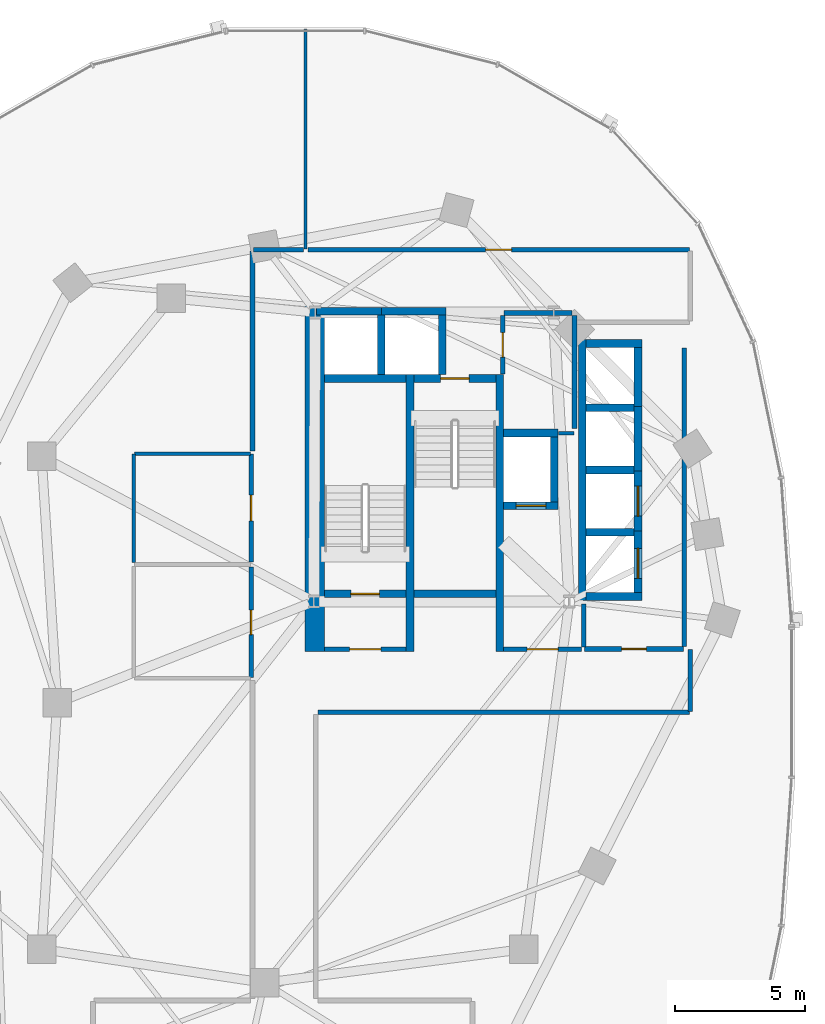
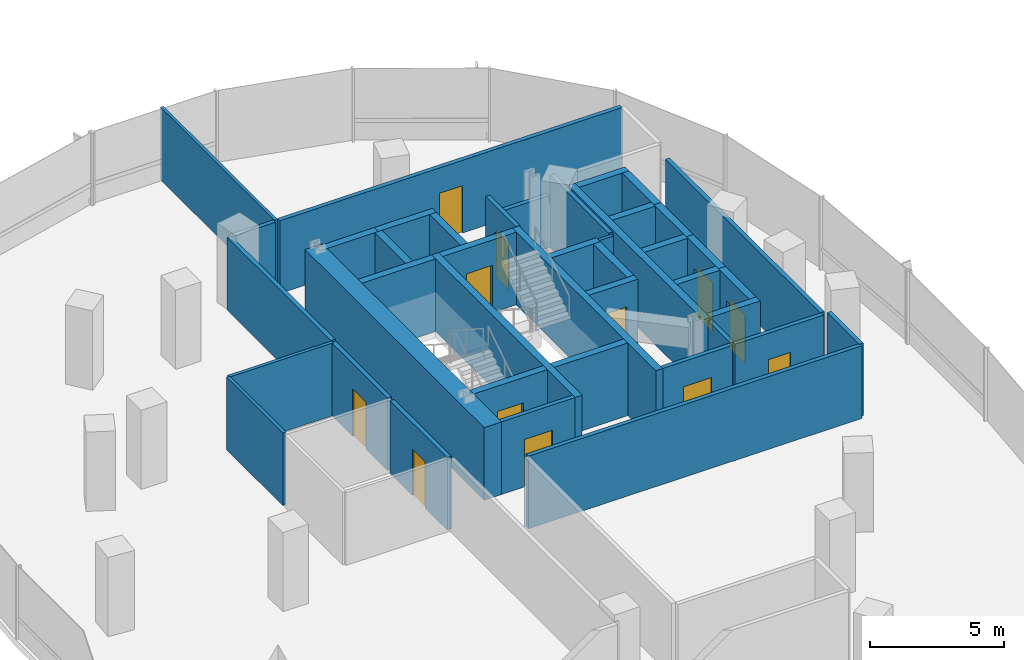
# One storey, part 11 of 20: 43 walls, 12 doors, 12 openings.
"""IFC4 building model written with IfcOpenShell, lengths in metres."""

from ifc_helpers import new_model, si_unit, direction, frame, frame_2d, origin, place, context, subcontext, project, spatial, rectangle, extrude, material, layer, layer_set, type_object, element, fill, save


model = new_model("IFC4")

# Units and contexts
model_context = context("Model", 3, precision=1e-05, world=origin(), true_north=direction((0.0, 1.0)))
body_context = subcontext(model_context, "Body", "Model", "MODEL_VIEW")
ifc_project = project(units=[si_unit("LENGTHUNIT", "METRE"), si_unit("AREAUNIT", "SQUARE_METRE"), si_unit("VOLUMEUNIT", "CUBIC_METRE"), si_unit("PLANEANGLEUNIT", "RADIAN"), si_unit("MASSUNIT", "GRAM", prefix="KILO"), si_unit("THERMODYNAMICTEMPERATUREUNIT", "KELVIN"), si_unit("POWERUNIT", "WATT")], contexts=[model_context])

# Site, building, storey
site_placement = place(None, origin())
site = spatial("IfcSite", under=ifc_project, at=site_placement, CompositionType="ELEMENT")
building_placement = place(site_placement, origin())
building = spatial("IfcBuilding", under=site, at=building_placement, Name="Cundina Bronze Exchange", CompositionType="ELEMENT")
storey_placement = place(building_placement, frame((0.0, 0.0, 125.0)))
storey = spatial("IfcBuildingStorey", under=building, at=storey_placement, Name="L32", CompositionType="ELEMENT", Elevation=125.0)

# Wall
ifc_material_1 = material(Name="Gypsum Fireboard Partition EI120")
ifc_layer_1 = layer(ifc_material_1, 0.179931640625, Name="Gypsum Fireboard Partition EI120")
ifc_layer_set_1 = layer_set([ifc_layer_1], Name="Gypsum Fireboard Partition EI120")
wall_type_1 = type_object("IfcWallType", Name="WL-COR-180", PredefinedType="PARTITIONING", material=ifc_layer_set_1)
wall_1_placement = place(storey_placement, frame((-20.889892578125, 2.14990234375, 0.0), z_axis=(0.0, 0.0, 1.0), x_axis=(0.0, 1.0, 0.0)))
element("IfcWall", 1, at=wall_1_placement, inside=storey, type_object=wall_type_1, Name="L32 W Firefighting Lobby Side Wall", PredefinedType="PARTITIONING", context=body_context, shape_type="SweptSolid", body=[
    extrude(rectangle(XDim=1.650146484375, YDim=0.179931640625, at=frame_2d((0.8251953125, 0.0))), origin(), (0.0, 0.0, 1.0), 3.300048828125),
])

# Wall, opening, door
wall_2_placement = place(storey_placement, frame((-23.97998046875, 2.06005859375, 0.0), z_axis=(0.0, 0.0, 1.0), x_axis=(1.0, 0.0, 0.0)))
wall_2 = element("IfcWall", 2, at=wall_2_placement, inside=storey, type_object=wall_type_1, Name="L32 W Firefighting Lobby Exit Wall", PredefinedType="PARTITIONING", context=body_context, shape_type="SweptSolid", body=[
    extrude(rectangle(XDim=3.0, YDim=0.179931640625, at=frame_2d((1.5, 0.0))), origin(), (0.0, 0.0, 1.0), 3.300048828125),
])
opening_1_placement = place(wall_2_placement, frame((0.89990234375, 0.0, 0.0)))
opening_1 = element("IfcOpeningElement", 3, at=opening_1_placement, cuts=wall_2, Name="Opening DF-01", PredefinedType="OPENING", context=body_context, shape_type="SweptSolid", body=[
    extrude(rectangle(XDim=1.199951171875, YDim=2.14990234375, at=frame_2d((0.60009765625, 1.074951171875))), frame((0.0, 0.099853515625, 0.0), z_axis=(0.0, -1.0, 0.0), x_axis=(1.0, 0.0, 0.0)), (0.0, 0.0, 1.0), 0.199951171875),
])
ifc_material_2 = material(Name="Steel ASTM A36 Painted", Category="steel")
door_type_1 = type_object("IfcDoorType", Name="DR-FFL-1200", OperationType="NOTDEFINED", PredefinedType="DOOR", material=ifc_material_2)
door_1_placement = place(opening_1_placement, origin())
door_1 = element("IfcDoor", 4, at=door_1_placement, inside=storey, type_object=door_type_1, Name="L32 W Firefighting Lobby Door", OperationType="SINGLE_SWING_RIGHT", OverallHeight=2.14990234375, OverallWidth=1.199951171875, PredefinedType="DOOR", context=body_context, shape_type="SweptSolid", body=[
    extrude(rectangle(XDim=1.199951171875, YDim=2.14990234375, at=frame_2d((0.60009765625, 1.074951171875))), frame((0.0, 0.02490234375, 0.0), z_axis=(0.0, -1.0, 0.0), x_axis=(1.0, 0.0, 0.0)), (0.0, 0.0, 1.0), 0.050048828125),
])
fill(opening_1, door_1)

wall_3_placement = place(storey_placement, frame((-30.89990234375, 2.06005859375, 0.0), z_axis=(0.0, 0.0, 1.0), x_axis=(1.0, 0.0, 0.0)))
wall_3 = element("IfcWall", 5, at=wall_3_placement, inside=storey, type_object=wall_type_1, Name="L32 W Stair Vestibule Exit Wall", PredefinedType="PARTITIONING", context=body_context, shape_type="SweptSolid", body=[
    extrude(rectangle(XDim=3.159912109375, YDim=0.179931640625, at=frame_2d((1.580078125, 0.0))), origin(), (0.0, 0.0, 1.0), 3.300048828125),
])
opening_2_placement = place(wall_3_placement, frame((0.97998046875, 0.0, 0.0)))
opening_2 = element("IfcOpeningElement", 6, at=opening_2_placement, cuts=wall_3, Name="Opening DF-01", PredefinedType="OPENING", context=body_context, shape_type="SweptSolid", body=[
    extrude(rectangle(XDim=1.199951171875, YDim=2.14990234375, at=frame_2d((0.60009765625, 1.074951171875))), frame((0.0, 0.099853515625, 0.0), z_axis=(0.0, -1.0, 0.0), x_axis=(1.0, 0.0, 0.0)), (0.0, 0.0, 1.0), 0.199951171875),
])
door_2_placement = place(opening_2_placement, origin())
door_2 = element("IfcDoor", 7, at=door_2_placement, inside=storey, type_object=door_type_1, Name="L32 W Stair Vestibule Door", OperationType="SINGLE_SWING_LEFT", OverallHeight=2.14990234375, OverallWidth=1.199951171875, PredefinedType="DOOR", context=body_context, shape_type="SweptSolid", body=[
    extrude(rectangle(XDim=1.199951171875, YDim=2.14990234375, at=frame_2d((0.60009765625, 1.074951171875))), frame((0.0, 0.02490234375, 0.0), z_axis=(0.0, -1.0, 0.0), x_axis=(1.0, 0.0, 0.0)), (0.0, 0.0, 1.0), 0.050048828125),
])
fill(opening_2, door_2)

# Wall
wall_4_placement = place(storey_placement, frame((-17.02001953125, 2.169921875, 0.0), z_axis=(0.0, 0.0, 1.0), x_axis=(0.0, 1.0, 0.0)))
element("IfcWall", 8, at=wall_4_placement, inside=storey, type_object=wall_type_1, Name="L32 Interior Partition 001", PredefinedType="PARTITIONING", context=body_context, shape_type="SweptSolid", body=[
    extrude(rectangle(XDim=11.510009765625, YDim=0.179931640625, at=frame_2d((5.7548828125, 0.0))), origin(), (0.0, 0.0, 1.0), 3.300048828125),
])

# Wall, opening, door
wall_5_placement = place(storey_placement, frame((-20.8701171875, 2.070068359375, 0.0), z_axis=(0.0, 0.0, 1.0), x_axis=(1.0, 0.0, 0.0)))
wall_5 = element("IfcWall", 9, at=wall_5_placement, inside=storey, type_object=wall_type_1, Name="L32 Interior Partition 002", PredefinedType="PARTITIONING", context=body_context, shape_type="SweptSolid", body=[
    extrude(rectangle(XDim=3.830078125, YDim=0.179931640625, at=frame_2d((1.9150390625, 0.0))), origin(), (0.0, 0.0, 1.0), 3.300048828125),
])
opening_3_placement = place(wall_5_placement, frame((1.43994140625, 0.0, 0.0)))
opening_3 = element("IfcOpeningElement", 10, at=opening_3_placement, cuts=wall_5, Name="Opening DW-01", PredefinedType="OPENING", context=body_context, shape_type="SweptSolid", body=[
    extrude(rectangle(XDim=0.949951171875, YDim=2.10009765625, at=frame_2d((0.47509765625, 1.050048828125))), frame((0.0, 0.099853515625, 0.0), z_axis=(0.0, -1.0, 0.0), x_axis=(1.0, 0.0, 0.0)), (0.0, 0.0, 1.0), 0.199951171875),
])
ifc_material_3 = material(Name="Solid Andean Oak Timber Grade A", Category="wood")
door_type_2 = type_object("IfcDoorType", Name="DR-WC-950", OperationType="NOTDEFINED", PredefinedType="DOOR", material=ifc_material_3)
door_3_placement = place(opening_3_placement, origin())
door_3 = element("IfcDoor", 11, at=door_3_placement, inside=storey, type_object=door_type_2, Name="L32 Interior Door 002", OperationType="SINGLE_SWING_LEFT", OverallHeight=2.10009765625, OverallWidth=0.949951171875, PredefinedType="DOOR", context=body_context, shape_type="SweptSolid", body=[
    extrude(rectangle(XDim=0.949951171875, YDim=2.10009765625, at=frame_2d((0.47509765625, 1.050048828125))), frame((0.0, 0.02490234375, 0.0), z_axis=(0.0, -1.0, 0.0), x_axis=(1.0, 0.0, 0.0)), (0.0, 0.0, 1.0), 0.050048828125),
])
fill(opening_3, door_3)

# Walls
wall_6_placement = place(storey_placement, frame((-21.25, 10.570068359375, 0.0), z_axis=(0.0, 0.0, 1.0), x_axis=(0.0, 1.0, 0.0)))
element("IfcWall", 12, at=wall_6_placement, inside=storey, type_object=wall_type_1, Name="L32 Interior Partition 004", PredefinedType="PARTITIONING", context=body_context, shape_type="SweptSolid", body=[
    extrude(rectangle(XDim=4.35986328125, YDim=0.179931640625, at=frame_2d((2.179931640625, 0.0))), origin(), (0.0, 0.0, 1.0), 3.300048828125),
])
wall_7_placement = place(storey_placement, frame((-23.9599609375, 15.030029296875, 0.0), z_axis=(0.0, 0.0, 1.0), x_axis=(1.0, 0.0, 0.0)))
element("IfcWall", 13, at=wall_7_placement, inside=storey, type_object=wall_type_1, Name="L32 Interior Partition 005", PredefinedType="PARTITIONING", context=body_context, shape_type="SweptSolid", body=[
    extrude(rectangle(XDim=2.60986328125, YDim=0.179931640625, at=frame_2d((1.304931640625, 0.0))), origin(), (0.0, 0.0, 1.0), 2.373046875),
])

# Wall, opening, door
wall_8_placement = place(storey_placement, frame((-24.02001953125, 12.669921875, 0.0), z_axis=(0.0, 0.0, 1.0), x_axis=(0.0, 1.0, 0.0)))
wall_8 = element("IfcWall", 14, at=wall_8_placement, inside=storey, type_object=wall_type_1, Name="L32 Interior Partition 006", PredefinedType="PARTITIONING", context=body_context, shape_type="SweptSolid", body=[
    extrude(rectangle(XDim=2.260009765625, YDim=0.179931640625, at=frame_2d((1.1298828125, 0.0))), origin(), (0.0, 0.0, 1.0), 3.300048828125),
])
opening_4_placement = place(wall_8_placement, frame((0.655029296875, 0.0, 0.0)))
opening_4 = element("IfcOpeningElement", 15, at=opening_4_placement, cuts=wall_8, Name="Opening DW-01", PredefinedType="OPENING", context=body_context, shape_type="SweptSolid", body=[
    extrude(rectangle(XDim=0.949951171875, YDim=2.10009765625, at=frame_2d((0.47509765625, 1.050048828125))), frame((0.0, 0.099853515625, 0.0), z_axis=(0.0, -1.0, 0.0), x_axis=(1.0, 0.0, 0.0)), (0.0, 0.0, 1.0), 0.199951171875),
])
door_4_placement = place(opening_4_placement, origin())
door_4 = element("IfcDoor", 16, at=door_4_placement, inside=storey, type_object=door_type_2, Name="L32 Interior Door 006", OperationType="SINGLE_SWING_LEFT", OverallHeight=2.10009765625, OverallWidth=0.949951171875, PredefinedType="DOOR", context=body_context, shape_type="SweptSolid", body=[
    extrude(rectangle(XDim=0.949951171875, YDim=2.10009765625, at=frame_2d((0.47509765625, 1.050048828125))), frame((0.0, 0.02490234375, 0.0), z_axis=(0.0, -1.0, 0.0), x_axis=(1.0, 0.0, 0.0)), (0.0, 0.0, 1.0), 0.050048828125),
])
fill(opening_4, door_4)

wall_9_placement = place(storey_placement, frame((-33.719970703125, 0.969970703125, 0.0), z_axis=(0.0, 0.0, 1.0), x_axis=(0.0, 1.0, 0.0)))
wall_9 = element("IfcWall", 17, at=wall_9_placement, inside=storey, type_object=wall_type_1, Name="L32 Interior Partition 012", PredefinedType="PARTITIONING", context=body_context, shape_type="SweptSolid", body=[
    extrude(rectangle(XDim=4.260009765625, YDim=0.179931640625, at=frame_2d((2.1298828125, 0.0))), origin(), (0.0, 0.0, 1.0), 3.300048828125),
])
opening_5_placement = place(wall_9_placement, frame((1.655029296875, 0.0, 0.0)))
opening_5 = element("IfcOpeningElement", 18, at=opening_5_placement, cuts=wall_9, Name="Opening DW-01", PredefinedType="OPENING", context=body_context, shape_type="SweptSolid", body=[
    extrude(rectangle(XDim=0.949951171875, YDim=2.10009765625, at=frame_2d((0.47509765625, 1.050048828125))), frame((0.0, 0.099853515625, 0.0), z_axis=(0.0, -1.0, 0.0), x_axis=(1.0, 0.0, 0.0)), (0.0, 0.0, 1.0), 0.199951171875),
])
door_5_placement = place(opening_5_placement, origin())
door_5 = element("IfcDoor", 19, at=door_5_placement, inside=storey, type_object=door_type_2, Name="L32 Interior Door 012", OperationType="SINGLE_SWING_LEFT", OverallHeight=2.10009765625, OverallWidth=0.949951171875, PredefinedType="DOOR", context=body_context, shape_type="SweptSolid", body=[
    extrude(rectangle(XDim=0.949951171875, YDim=2.10009765625, at=frame_2d((0.47509765625, 1.050048828125))), frame((0.0, 0.02490234375, 0.0), z_axis=(0.0, -1.0, 0.0), x_axis=(1.0, 0.0, 0.0)), (0.0, 0.0, 1.0), 0.050048828125),
])
fill(opening_5, door_5)

wall_10_placement = place(storey_placement, frame((-33.719970703125, 5.429931640625, 0.0), z_axis=(0.0, 0.0, 1.0), x_axis=(0.0, 1.0, 0.0)))
wall_10 = element("IfcWall", 20, at=wall_10_placement, inside=storey, type_object=wall_type_1, Name="L32 Interior Partition 013", PredefinedType="PARTITIONING", context=body_context, shape_type="SweptSolid", body=[
    extrude(rectangle(XDim=4.16015625, YDim=0.179931640625, at=frame_2d((2.080078125, 0.0))), origin(), (0.0, 0.0, 1.0), 3.300048828125),
])
opening_6_placement = place(wall_10_placement, frame((1.580078125, 0.0, 0.0)))
opening_6 = element("IfcOpeningElement", 21, at=opening_6_placement, cuts=wall_10, Name="Opening DO-01", PredefinedType="OPENING", context=body_context, shape_type="SweptSolid", body=[
    extrude(rectangle(XDim=1.0, YDim=2.14990234375, at=frame_2d((0.5, 1.074951171875))), frame((0.0, 0.099853515625, 0.0), z_axis=(0.0, -1.0, 0.0), x_axis=(1.0, 0.0, 0.0)), (0.0, 0.0, 1.0), 0.199951171875),
])
door_type_3 = type_object("IfcDoorType", Name="DR-OFF-1000", OperationType="NOTDEFINED", PredefinedType="DOOR", material=ifc_material_3)
door_6_placement = place(opening_6_placement, origin())
door_6 = element("IfcDoor", 22, at=door_6_placement, inside=storey, type_object=door_type_3, Name="L32 Interior Door 013", OperationType="SINGLE_SWING_LEFT", OverallHeight=2.14990234375, OverallWidth=1.0, PredefinedType="DOOR", context=body_context, shape_type="SweptSolid", body=[
    extrude(rectangle(XDim=1.0, YDim=2.14990234375, at=frame_2d((0.5, 1.074951171875))), frame((0.0, 0.02490234375, 0.0), z_axis=(0.0, -1.0, 0.0), x_axis=(1.0, 0.0, 0.0)), (0.0, 0.0, 1.0), 0.050048828125),
])
fill(opening_6, door_6)

wall_11_placement = place(storey_placement, frame((-16.821533203125, 17.469970703125, 0.0), z_axis=(0.0, 0.0, 1.0), x_axis=(-1.0, 0.0, 0.0)))
wall_11 = element("IfcWall", 23, at=wall_11_placement, inside=storey, type_object=wall_type_1, Name="L32 Interior Partition 015", PredefinedType="PARTITIONING", context=body_context, shape_type="SweptSolid", body=[
    extrude(rectangle(XDim=14.70849609375, YDim=0.179931640625, at=frame_2d((7.354248046875, 0.0))), origin(), (0.0, 0.0, 1.0), 3.300048828125),
])
opening_7_placement = place(wall_11_placement, frame((6.854248046875, 0.0, 0.0)))
opening_7 = element("IfcOpeningElement", 24, at=opening_7_placement, cuts=wall_11, Name="Opening DO-01", PredefinedType="OPENING", context=body_context, shape_type="SweptSolid", body=[
    extrude(rectangle(XDim=1.0, YDim=2.14990234375, at=frame_2d((0.5, 1.074951171875))), frame((0.0, 0.099853515625, 0.0), z_axis=(0.0, -1.0, 0.0), x_axis=(1.0, 0.0, 0.0)), (0.0, 0.0, 1.0), 0.199951171875),
])
door_7_placement = place(opening_7_placement, origin())
door_7 = element("IfcDoor", 25, at=door_7_placement, inside=storey, type_object=door_type_3, Name="L32 Interior Door 015", OperationType="SINGLE_SWING_LEFT", OverallHeight=2.14990234375, OverallWidth=1.0, PredefinedType="DOOR", context=body_context, shape_type="SweptSolid", body=[
    extrude(rectangle(XDim=1.0, YDim=2.14990234375, at=frame_2d((0.5, 1.074951171875))), frame((0.0, 0.02490234375, 0.0), z_axis=(0.0, -1.0, 0.0), x_axis=(1.0, 0.0, 0.0)), (0.0, 0.0, 1.0), 0.050048828125),
])
fill(opening_7, door_7)

# Walls
wall_12_placement = place(storey_placement, frame((-31.14990234375, -0.3701171875, 0.0), z_axis=(0.0, 0.0, 1.0), x_axis=(1.0, 0.0, 0.0)))
element("IfcWall", 26, at=wall_12_placement, inside=storey, type_object=wall_type_1, Name="L32 Interior Partition 017", PredefinedType="PARTITIONING", context=body_context, shape_type="SweptSolid", body=[
    extrude(rectangle(XDim=14.328369140625, YDim=0.179931640625, at=frame_2d((7.1640625, 0.0))), origin(), (0.0, 0.0, 1.0), 3.300048828125),
])
wall_13_placement = place(storey_placement, frame((-33.669921875, 17.428466796875, 0.0), z_axis=(0.0, 0.0, 1.0), x_axis=(0.0, -1.0, 0.0)))
element("IfcWall", 27, at=wall_13_placement, inside=storey, type_object=wall_type_1, Name="L32 Interior Partition 020", PredefinedType="PARTITIONING", context=body_context, shape_type="SweptSolid", body=[
    extrude(rectangle(XDim=7.72705078125, YDim=0.179931640625, at=frame_2d((3.863525390625, 0.0))), origin(), (0.0, 0.0, 1.0), 3.300048828125),
])
wall_14_placement = place(storey_placement, frame((-16.780029296875, -0.32861328125, 0.0), z_axis=(0.0, 0.0, 1.0), x_axis=(0.0, 1.0, 0.0)))
element("IfcWall", 28, at=wall_14_placement, inside=storey, type_object=wall_type_1, Name="L32 Interior Partition 025", PredefinedType="PARTITIONING", context=body_context, shape_type="SweptSolid", body=[
    extrude(rectangle(XDim=2.38720703125, YDim=0.179931640625, at=frame_2d((1.193603515625, 0.0))), origin(), (0.0, 0.0, 1.0), 3.300048828125),
])
wall_15_placement = place(storey_placement, frame((-31.7099609375, 17.469970703125, 0.0), z_axis=(0.0, 0.0, 1.0), x_axis=(-1.0, 0.0, 0.0)))
element("IfcWall", 29, at=wall_15_placement, inside=storey, type_object=wall_type_1, Name="L32 Interior Partition 028", PredefinedType="PARTITIONING", context=body_context, shape_type="SweptSolid", body=[
    extrude(rectangle(XDim=1.91845703125, YDim=0.179931640625, at=frame_2d((0.959228515625, 0.0))), origin(), (0.0, 0.0, 1.0), 3.300048828125),
])
ifc_material_4 = material(Name="Concrete C60/75", Category="concrete")
ifc_layer_2 = layer(ifc_material_4, 0.75, Name="Concrete C60/75", Category="concrete")
ifc_layer_set_2 = layer_set([ifc_layer_2], Name="Concrete C60/75")
wall_type_2 = type_object("IfcWallType", Name="WL-CORE-750", PredefinedType="SHEAR", material=ifc_layer_set_2)
wall_16_placement = place(storey_placement, frame((-31.27490234375, 1.969970703125, 0.0), z_axis=(0.0, 0.0, 1.0), x_axis=(0.0, 1.0, 0.0)))
element("IfcWall", 30, at=wall_16_placement, inside=storey, type_object=wall_type_2, Name="L32 W Primary Core Shear Spine Wall", PredefinedType="SHEAR", context=body_context, shape_type="SweptSolid", body=[
    extrude(rectangle(XDim=13.330078125, YDim=0.75, at=frame_2d((6.6650390625, 0.0))), origin(), (0.0, 0.0, 1.0), 3.300048828125),
])
ifc_material_5 = material(Name="Gypsum Acoustic Partition EI60")
ifc_layer_3 = layer(ifc_material_5, 0.125, Name="Gypsum Acoustic Partition EI60")
ifc_layer_set_3 = layer_set([ifc_layer_3], Name="Gypsum Acoustic Partition EI60")
wall_type_3 = type_object("IfcWallType", Name="WL-OFF-125", PredefinedType="PARTITIONING", material=ifc_layer_set_3)
wall_17_placement = place(storey_placement, frame((-31.6201171875, 17.5, 0.0), z_axis=(0.0, 0.0, 1.0), x_axis=(0.0, 1.0, 0.0)))
element("IfcWall", 31, at=wall_17_placement, inside=storey, type_object=wall_type_3, Name="L32 Interior Partition 014", PredefinedType="PARTITIONING", context=body_context, shape_type="SweptSolid", body=[
    extrude(rectangle(XDim=8.485107421875, YDim=0.125, at=frame_2d((4.24267578125, 0.0))), origin(), (0.0, 0.0, 1.0), 3.300048828125),
])
ifc_material_6 = material(Name="Concrete C50/60", Category="concrete")
ifc_layer_4 = layer(ifc_material_6, 0.300048828125, Name="Concrete C50/60", Category="concrete")
ifc_layer_set_4 = layer_set([ifc_layer_4], Name="Concrete C50/60")
wall_type_4 = type_object("IfcWallType", Name="WL-SHFT-300", PredefinedType="SHEAR", material=ifc_layer_set_4)
for number, where, z_axis, x_axis, name in (
    (32, (-27.590087890625, 1.969970703125, 0.0), (0.0, 0.0, 1.0), (0.0, 1.0, 0.0), "L32 W Stair Shaft Dividing Shear Wall"),
    (33, (-24.1298828125, 1.969970703125, 0.0), (0.0, 0.0, 1.0), (0.0, 1.0, 0.0), "L32 W Stair 2 East Shear Wall"),
):
    element("IfcWall", number, at=place(storey_placement, frame(where, z_axis=z_axis, x_axis=x_axis)), inside=storey, type_object=wall_type_4, Name=name, PredefinedType="SHEAR", context=body_context, shape_type="SweptSolid", body=[
        extrude(rectangle(XDim=10.679931640625, YDim=0.300048828125, at=frame_2d((5.33984375, 0.0))), origin(), (0.0, 0.0, 1.0), 3.300048828125),
    ])

# Wall, opening, door
wall_18_placement = place(storey_placement, frame((-30.89990234375, 4.199951171875, 0.0), z_axis=(0.0, 0.0, 1.0), x_axis=(1.0, 0.0, 0.0)))
wall_18 = element("IfcWall", 34, at=wall_18_placement, inside=storey, type_object=wall_type_4, Name="L32 Stair W1 Landing Wall", PredefinedType="SHEAR", context=body_context, shape_type="SweptSolid", body=[
    extrude(rectangle(XDim=3.159912109375, YDim=0.300048828125, at=frame_2d((1.580078125, 0.0))), origin(), (0.0, 0.0, 1.0), 3.300048828125),
])
opening_8_placement = place(wall_18_placement, frame((1.030029296875, 0.0, 0.0)))
opening_8 = element("IfcOpeningElement", 35, at=opening_8_placement, cuts=wall_18, Name="Opening DS-01", PredefinedType="OPENING", context=body_context, shape_type="SweptSolid", body=[
    extrude(rectangle(XDim=1.10009765625, YDim=2.14990234375, at=frame_2d((0.550048828125, 1.074951171875))), frame((0.0, 0.159912109375, 0.0), z_axis=(0.0, -1.0, 0.0), x_axis=(1.0, 0.0, 0.0)), (0.0, 0.0, 1.0), 0.320068359375),
])
door_type_4 = type_object("IfcDoorType", Name="DR-STR-1100", OperationType="NOTDEFINED", PredefinedType="DOOR", material=ifc_material_2)
door_8_placement = place(opening_8_placement, origin())
door_8 = element("IfcDoor", 36, at=door_8_placement, inside=storey, type_object=door_type_4, Name="L32 Smokeproof Stair W1 Door", OperationType="SINGLE_SWING_RIGHT", OverallHeight=2.14990234375, OverallWidth=1.10009765625, PredefinedType="DOOR", context=body_context, shape_type="SweptSolid", body=[
    extrude(rectangle(XDim=1.10009765625, YDim=2.14990234375, at=frame_2d((0.550048828125, 1.074951171875))), frame((0.0, 0.02490234375, 0.0), z_axis=(0.0, -1.0, 0.0), x_axis=(1.0, 0.0, 0.0)), (0.0, 0.0, 1.0), 0.050048828125),
])
fill(opening_8, door_8)

# Wall
wall_19_placement = place(storey_placement, frame((-30.89990234375, 12.5, 0.0), z_axis=(0.0, 0.0, 1.0), x_axis=(1.0, 0.0, 0.0)))
element("IfcWall", 37, at=wall_19_placement, inside=storey, type_object=wall_type_4, Name="L32 Stair W1 Far Shaft Wall", PredefinedType="SHEAR", context=body_context, shape_type="SweptSolid", body=[
    extrude(rectangle(XDim=3.159912109375, YDim=0.300048828125, at=frame_2d((1.580078125, 0.0))), origin(), (0.0, 0.0, 1.0), 3.300048828125),
])

# Wall, opening, door
wall_20_placement = place(storey_placement, frame((-27.43994140625, 12.5, 0.0), z_axis=(0.0, 0.0, 1.0), x_axis=(1.0, 0.0, 0.0)))
wall_20 = element("IfcWall", 38, at=wall_20_placement, inside=storey, type_object=wall_type_4, Name="L32 Stair W2 Landing Wall", PredefinedType="SHEAR", context=body_context, shape_type="SweptSolid", body=[
    extrude(rectangle(XDim=3.159912109375, YDim=0.300048828125, at=frame_2d((1.580078125, 0.0))), origin(), (0.0, 0.0, 1.0), 3.300048828125),
])
opening_9_placement = place(wall_20_placement, frame((1.030029296875, 0.0, 0.0)))
opening_9 = element("IfcOpeningElement", 39, at=opening_9_placement, cuts=wall_20, Name="Opening DS-01", PredefinedType="OPENING", context=body_context, shape_type="SweptSolid", body=[
    extrude(rectangle(XDim=1.10009765625, YDim=2.14990234375, at=frame_2d((0.550048828125, 1.074951171875))), frame((0.0, 0.159912109375, 0.0), z_axis=(0.0, -1.0, 0.0), x_axis=(1.0, 0.0, 0.0)), (0.0, 0.0, 1.0), 0.320068359375),
])
door_9_placement = place(opening_9_placement, origin())
door_9 = element("IfcDoor", 40, at=door_9_placement, inside=storey, type_object=door_type_4, Name="L32 Smokeproof Stair W2 Door", OperationType="SINGLE_SWING_LEFT", OverallHeight=2.14990234375, OverallWidth=1.10009765625, PredefinedType="DOOR", context=body_context, shape_type="SweptSolid", body=[
    extrude(rectangle(XDim=1.10009765625, YDim=2.14990234375, at=frame_2d((0.550048828125, 1.074951171875))), frame((0.0, 0.02490234375, 0.0), z_axis=(0.0, -1.0, 0.0), x_axis=(1.0, 0.0, 0.0)), (0.0, 0.0, 1.0), 0.050048828125),
])
fill(opening_9, door_9)

# Wall
wall_21_placement = place(storey_placement, frame((-27.43994140625, 4.199951171875, 0.0), z_axis=(0.0, 0.0, 1.0), x_axis=(1.0, 0.0, 0.0)))
element("IfcWall", 41, at=wall_21_placement, inside=storey, type_object=wall_type_4, Name="L32 Stair W2 Far Shaft Wall", PredefinedType="SHEAR", context=body_context, shape_type="SweptSolid", body=[
    extrude(rectangle(XDim=3.159912109375, YDim=0.300048828125, at=frame_2d((1.580078125, 0.0))), origin(), (0.0, 0.0, 1.0), 3.300048828125),
])

# Wall, opening, door
wall_22_placement = place(storey_placement, frame((-23.97998046875, 7.60009765625, 0.0), z_axis=(0.0, 0.0, 1.0), x_axis=(1.0, 0.0, 0.0)))
wall_22 = element("IfcWall", 42, at=wall_22_placement, inside=storey, type_object=wall_type_4, Name="L32 FFL-W Hoistway Front Wall", PredefinedType="SHEAR", context=body_context, shape_type="SweptSolid", body=[
    extrude(rectangle(XDim=2.10009765625, YDim=0.300048828125, at=frame_2d((1.050048828125, 0.0))), origin(), (0.0, 0.0, 1.0), 3.300048828125),
])
opening_10_placement = place(wall_22_placement, frame((0.47509765625, 0.0, 0.0)))
opening_10 = element("IfcOpeningElement", 43, at=opening_10_placement, cuts=wall_22, Name="Opening LD-01", PredefinedType="OPENING", context=body_context, shape_type="SweptSolid", body=[
    extrude(rectangle(XDim=1.14990234375, YDim=2.199951171875, at=frame_2d((0.574951171875, 1.10009765625))), frame((0.0, 0.159912109375, 0.0), z_axis=(0.0, -1.0, 0.0), x_axis=(1.0, 0.0, 0.0)), (0.0, 0.0, 1.0), 0.320068359375),
])
door_type_5 = type_object("IfcDoorType", Name="DR-LND-1150", OperationType="NOTDEFINED", PredefinedType="TRAPDOOR", material=ifc_material_2)
door_10_placement = place(opening_10_placement, origin())
door_10 = element("IfcDoor", 44, at=door_10_placement, inside=storey, type_object=door_type_5, Name="L32 FFL-W Sliding Landing Door", OperationType="SLIDING_TO_LEFT", OverallHeight=2.199951171875, OverallWidth=1.14990234375, PredefinedType="TRAPDOOR", context=body_context, shape_type="SweptSolid", body=[
    extrude(rectangle(XDim=1.14990234375, YDim=2.199951171875, at=frame_2d((0.574951171875, 1.10009765625))), frame((0.0, 0.02490234375, 0.0), z_axis=(0.0, -1.0, 0.0), x_axis=(1.0, 0.0, 0.0)), (0.0, 0.0, 1.0), 0.050048828125),
])
fill(opening_10, door_10)

# Walls
wall_23_placement = place(storey_placement, frame((-23.97998046875, 10.39990234375, 0.0), z_axis=(0.0, 0.0, 1.0), x_axis=(1.0, 0.0, 0.0)))
element("IfcWall", 45, at=wall_23_placement, inside=storey, type_object=wall_type_4, Name="L32 FFL-W Hoistway Back Wall", PredefinedType="SHEAR", context=body_context, shape_type="SweptSolid", body=[
    extrude(rectangle(XDim=2.10009765625, YDim=0.300048828125, at=frame_2d((1.050048828125, 0.0))), origin(), (0.0, 0.0, 1.0), 3.300048828125),
])
for number, where, z_axis, x_axis, name in (
    (46, (-22.030029296875, 7.75, 0.0), (0.0, 0.0, 1.0), (0.0, 1.0, 0.0), "L32 FFL-W Hoistway Side Wall"),
    (47, (-31.199951171875, 15.10009765625, 0.0), (0.0, 0.0, 1.0), (1.0, 0.0, 0.0), "L32 PH-W1 Hoistway Front Wall"),
):
    element("IfcWall", number, at=place(storey_placement, frame(where, z_axis=z_axis, x_axis=x_axis)), inside=storey, type_object=wall_type_4, Name=name, PredefinedType="SHEAR", context=body_context, shape_type="SweptSolid", body=[
        extrude(rectangle(XDim=2.5, YDim=0.300048828125, at=frame_2d((1.25, 0.0))), origin(), (0.0, 0.0, 1.0), 3.300048828125),
    ])
wall_24_placement = place(storey_placement, frame((-28.699951171875, 12.64990234375, 0.0), z_axis=(0.0, 0.0, 1.0), x_axis=(0.0, 1.0, 0.0)))
element("IfcWall", 48, at=wall_24_placement, inside=storey, type_object=wall_type_4, Name="L32 PH-W1 Hoistway Divider Wall", PredefinedType="SHEAR", context=body_context, shape_type="SweptSolid", body=[
    extrude(rectangle(XDim=2.300048828125, YDim=0.300048828125, at=frame_2d((1.14990234375, 0.0))), origin(), (0.0, 0.0, 1.0), 3.300048828125),
])
wall_25_placement = place(storey_placement, frame((-28.699951171875, 15.10009765625, 0.0), z_axis=(0.0, 0.0, 1.0), x_axis=(1.0, 0.0, 0.0)))
element("IfcWall", 49, at=wall_25_placement, inside=storey, type_object=wall_type_4, Name="L32 PH-W2 Hoistway Front Wall", PredefinedType="SHEAR", context=body_context, shape_type="SweptSolid", body=[
    extrude(rectangle(XDim=2.5, YDim=0.300048828125, at=frame_2d((1.25, 0.0))), origin(), (0.0, 0.0, 1.0), 3.300048828125),
])
wall_26_placement = place(storey_placement, frame((-26.35009765625, 12.64990234375, 0.0), z_axis=(0.0, 0.0, 1.0), x_axis=(0.0, 1.0, 0.0)))
element("IfcWall", 50, at=wall_26_placement, inside=storey, type_object=wall_type_4, Name="L32 PH-W2 Hoistway Divider Wall", PredefinedType="SHEAR", context=body_context, shape_type="SweptSolid", body=[
    extrude(rectangle(XDim=2.300048828125, YDim=0.300048828125, at=frame_2d((1.14990234375, 0.0))), origin(), (0.0, 0.0, 1.0), 3.300048828125),
])
wall_27_placement = place(storey_placement, frame((-20.949951171875, 3.949951171875, 0.0), z_axis=(0.0, 0.0, 1.0), x_axis=(0.0, 1.0, 0.0)))
element("IfcWall", 51, at=wall_27_placement, inside=storey, type_object=wall_type_4, Name="L32 W Passenger Bank Hoistway Back Wall", PredefinedType="SHEAR", context=body_context, shape_type="SweptSolid", body=[
    extrude(rectangle(XDim=10.050048828125, YDim=0.300048828125, at=frame_2d((5.02490234375, 0.0))), origin(), (0.0, 0.0, 1.0), 3.300048828125),
])
for number, where, z_axis, x_axis, name in (
    (52, (-20.800048828125, 4.10009765625, 0.0), (0.0, 0.0, 1.0), (1.0, 0.0, 0.0), "L32 W Passenger Bank South Cap Wall"),
    (53, (-20.800048828125, 13.85009765625, 0.0), (0.0, 0.0, 1.0), (1.0, 0.0, 0.0), "L32 W Passenger Bank North Cap Wall"),
):
    element("IfcWall", number, at=place(storey_placement, frame(where, z_axis=z_axis, x_axis=x_axis)), inside=storey, type_object=wall_type_4, Name=name, PredefinedType="SHEAR", context=body_context, shape_type="SweptSolid", body=[
        extrude(rectangle(XDim=2.150146484375, YDim=0.300048828125, at=frame_2d((1.0751953125, 0.0))), origin(), (0.0, 0.0, 1.0), 3.300048828125),
    ])
for number, where, z_axis, x_axis, name in (
    (54, (-20.800048828125, 6.574951171875, 0.0), (0.0, 0.0, 1.0), (1.0, 0.0, 0.0), "L32 W Passenger Hoistway Divider 1"),
    (55, (-20.800048828125, 8.97509765625, 0.0), (0.0, 0.0, 1.0), (1.0, 0.0, 0.0), "L32 W Passenger Hoistway Divider 2"),
    (56, (-20.800048828125, 11.375, 0.0), (0.0, 0.0, 1.0), (1.0, 0.0, 0.0), "L32 W Passenger Hoistway Divider 3"),
):
    element("IfcWall", number, at=place(storey_placement, frame(where, z_axis=z_axis, x_axis=x_axis)), inside=storey, type_object=wall_type_4, Name=name, PredefinedType="SHEAR", context=body_context, shape_type="SweptSolid", body=[
        extrude(rectangle(XDim=1.85009765625, YDim=0.300048828125, at=frame_2d((0.925048828125, 0.0))), origin(), (0.0, 0.0, 1.0), 3.300048828125),
    ])

# Wall, opening, door
wall_28_placement = place(storey_placement, frame((-18.800048828125, 4.1298828125, 0.0), z_axis=(0.0, 0.0, 1.0), x_axis=(0.0, 1.0, 0.0)))
wall_28 = element("IfcWall", 57, at=wall_28_placement, inside=storey, type_object=wall_type_4, Name="L32 PL-W2 Hoistway Front Wall", PredefinedType="SHEAR", context=body_context, shape_type="SweptSolid", body=[
    extrude(rectangle(XDim=2.490234375, YDim=0.300048828125, at=frame_2d((1.2451171875, 0.0))), origin(), (0.0, 0.0, 1.0), 3.300048828125),
])
opening_11_placement = place(wall_28_placement, frame((0.669921875, 0.0, 0.0)))
opening_11 = element("IfcOpeningElement", 58, at=opening_11_placement, cuts=wall_28, Name="Opening LD-01", PredefinedType="OPENING", context=body_context, shape_type="SweptSolid", body=[
    extrude(rectangle(XDim=1.14990234375, YDim=2.199951171875, at=frame_2d((0.574951171875, 1.10009765625))), frame((0.0, 0.159912109375, 0.0), z_axis=(0.0, -1.0, 0.0), x_axis=(1.0, 0.0, 0.0)), (0.0, 0.0, 1.0), 0.320068359375),
])
door_11_placement = place(opening_11_placement, origin())
door_11 = element("IfcDoor", 59, at=door_11_placement, inside=storey, type_object=door_type_5, Name="L32 PL-W2 Sliding Landing Door", OperationType="SLIDING_TO_LEFT", OverallHeight=2.199951171875, OverallWidth=1.14990234375, PredefinedType="TRAPDOOR", context=body_context, shape_type="SweptSolid", body=[
    extrude(rectangle(XDim=1.14990234375, YDim=2.199951171875, at=frame_2d((0.574951171875, 1.10009765625))), frame((0.0, 0.02490234375, 0.0), z_axis=(0.0, -1.0, 0.0), x_axis=(1.0, 0.0, 0.0)), (0.0, 0.0, 1.0), 0.050048828125),
])
fill(opening_11, door_11)

wall_29_placement = place(storey_placement, frame((-18.800048828125, 6.530029296875, 0.0), z_axis=(0.0, 0.0, 1.0), x_axis=(0.0, 1.0, 0.0)))
wall_29 = element("IfcWall", 60, at=wall_29_placement, inside=storey, type_object=wall_type_4, Name="L32 PL-W1 Hoistway Front Wall", PredefinedType="SHEAR", context=body_context, shape_type="SweptSolid", body=[
    extrude(rectangle(XDim=2.489990234375, YDim=0.300048828125, at=frame_2d((1.2451171875, 0.0))), origin(), (0.0, 0.0, 1.0), 3.300048828125),
])
opening_12_placement = place(wall_29_placement, frame((0.669921875, 0.0, 0.0)))
opening_12 = element("IfcOpeningElement", 61, at=opening_12_placement, cuts=wall_29, Name="Opening LD-01", PredefinedType="OPENING", context=body_context, shape_type="SweptSolid", body=[
    extrude(rectangle(XDim=1.14990234375, YDim=2.199951171875, at=frame_2d((0.574951171875, 1.10009765625))), frame((0.0, 0.159912109375, 0.0), z_axis=(0.0, -1.0, 0.0), x_axis=(1.0, 0.0, 0.0)), (0.0, 0.0, 1.0), 0.320068359375),
])
door_12_placement = place(opening_12_placement, origin())
door_12 = element("IfcDoor", 62, at=door_12_placement, inside=storey, type_object=door_type_5, Name="L32 PL-W1 Sliding Landing Door", OperationType="SLIDING_TO_LEFT", OverallHeight=2.199951171875, OverallWidth=1.14990234375, PredefinedType="TRAPDOOR", context=body_context, shape_type="SweptSolid", body=[
    extrude(rectangle(XDim=1.14990234375, YDim=2.199951171875, at=frame_2d((0.574951171875, 1.10009765625))), frame((0.0, 0.02490234375, 0.0), z_axis=(0.0, -1.0, 0.0), x_axis=(1.0, 0.0, 0.0)), (0.0, 0.0, 1.0), 0.050048828125),
])
fill(opening_12, door_12)

# Walls
for number, where, z_axis, x_axis, name in (
    (63, (-18.800048828125, 8.929931640625, 0.0), (0.0, 0.0, 1.0), (0.0, 1.0, 0.0), "L32 PM-W2 Hoistway Front Wall"),
    (64, (-18.800048828125, 11.330078125, 0.0), (0.0, 0.0, 1.0), (0.0, 1.0, 0.0), "L32 PM-W1 Hoistway Front Wall"),
):
    element("IfcWall", number, at=place(storey_placement, frame(where, z_axis=z_axis, x_axis=x_axis)), inside=storey, type_object=wall_type_4, Name=name, PredefinedType="SHEAR", context=body_context, shape_type="SweptSolid", body=[
        extrude(rectangle(XDim=2.489990234375, YDim=0.300048828125, at=frame_2d((1.2451171875, 0.0))), origin(), (0.0, 0.0, 1.0), 3.300048828125),
    ])
ifc_material_7 = material(Name="Moisture-Resistant Masonry Block Grade M15", Category="masonry")
ifc_layer_5 = layer(ifc_material_7, 0.139892578125, Name="Moisture-Resistant Masonry Block Grade M15", Category="masonry")
ifc_layer_set_5 = layer_set([ifc_layer_5], Name="Moisture-Resistant Masonry Block Grade M15")
wall_type_5 = type_object("IfcWallType", Name="WL-WET-140", PredefinedType="PARTITIONING", material=ifc_layer_set_5)
wall_30_placement = place(storey_placement, frame((-21.860107421875, 10.39990234375, 0.0), z_axis=(0.0, 0.0, 1.0), x_axis=(1.0, 0.0, 0.0)))
element("IfcWall", 65, at=wall_30_placement, inside=storey, type_object=wall_type_5, Name="L32 Interior Partition 003", PredefinedType="PARTITIONING", context=body_context, shape_type="SweptSolid", body=[
    extrude(rectangle(XDim=0.590087890625, YDim=0.139892578125, at=frame_2d((0.294921875, 0.0))), origin(), (0.0, 0.0, 1.0), 3.300048828125),
])
wall_31_placement = place(storey_placement, frame((-38.239990234375, 5.4150390625, 0.0), z_axis=(0.0, 0.0, 1.0), x_axis=(0.0, 1.0, 0.0)))
element("IfcWall", 66, at=wall_31_placement, inside=storey, type_object=wall_type_5, Name="L32 Interior Partition 008", PredefinedType="PARTITIONING", context=body_context, shape_type="SweptSolid", body=[
    extrude(rectangle(XDim=4.175048828125, YDim=0.139892578125, at=frame_2d((2.08740234375, 0.0))), origin(), (0.0, 0.0, 1.0), 3.300048828125),
])
wall_32_placement = place(storey_placement, frame((-38.219970703125, 9.610107421875, 0.0), z_axis=(0.0, 0.0, 1.0), x_axis=(1.0, 0.0, 0.0)))
element("IfcWall", 67, at=wall_32_placement, inside=storey, type_object=wall_type_5, Name="L32 Interior Partition 011", PredefinedType="PARTITIONING", context=body_context, shape_type="SweptSolid", body=[
    extrude(rectangle(XDim=4.47998046875, YDim=0.139892578125, at=frame_2d((2.239990234375, 0.0))), origin(), (0.0, 0.0, 1.0), 3.300048828125),
])

save(model, "model.ifc")
